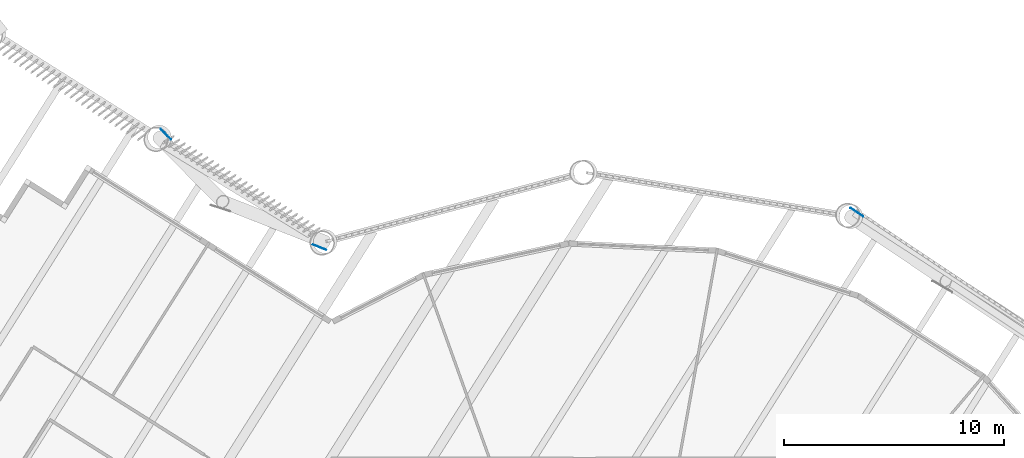
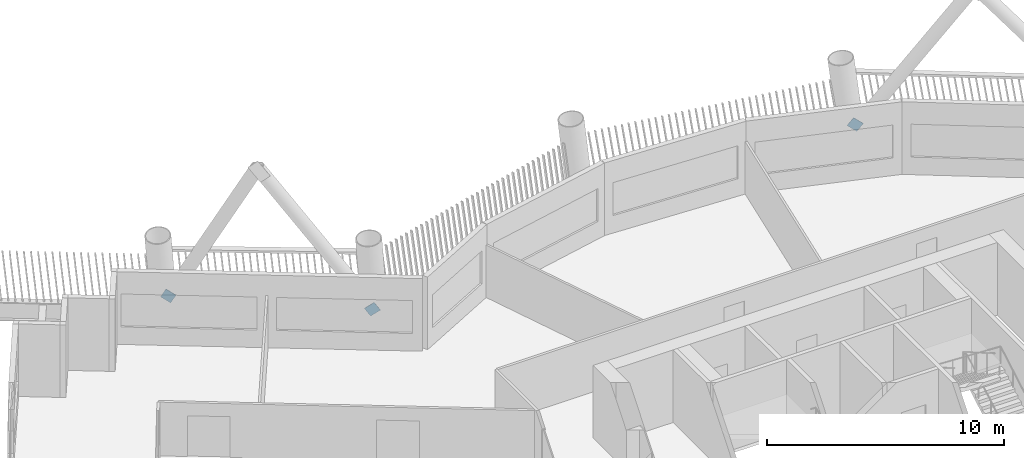
# One storey, part 14 of 22: 3 discrete accessories.
"""IFC4 building model written with IfcOpenShell, lengths in metres."""

from ifc_helpers import new_model, si_unit, direction, frame, origin, origin_2d, place, context, subcontext, project, spatial, rectangle, extrude, material, material_profile, profile_set, type_object, element, save


model = new_model("IFC4")

# Units and contexts
model_context = context("Model", 3, precision=1e-05, world=origin(), true_north=direction((0.0, 1.0)))
body_context = subcontext(model_context, "Body", "Model", "MODEL_VIEW")
ifc_project = project(units=[si_unit("LENGTHUNIT", "METRE"), si_unit("AREAUNIT", "SQUARE_METRE"), si_unit("VOLUMEUNIT", "CUBIC_METRE"), si_unit("PLANEANGLEUNIT", "RADIAN"), si_unit("MASSUNIT", "GRAM", prefix="KILO")], contexts=[model_context])

# Site, building, storey
site_placement = place(None, origin())
site = spatial("IfcSite", under=ifc_project, at=site_placement, CompositionType="ELEMENT")
building_placement = place(site_placement, origin())
building = spatial("IfcBuilding", under=site, at=building_placement, Name="Tarsis Ring Headquarters", CompositionType="ELEMENT")
storey_placement = place(building_placement, frame((0.0, 0.0, 147.60009765625)))
storey = spatial("IfcBuildingStorey", under=building, at=storey_placement, Name="L33", CompositionType="ELEMENT", Elevation=147.60009765625)

# Discrete accessories
ifc_material = material(Name="Structural steel S355", Category="steel")
ifc_material_profile = material_profile(ifc_material, rectangle(XDim=0.02490234375, YDim=0.5, at=origin_2d()), Name="PL 25x500")
ifc_profile_set = profile_set([ifc_material_profile], Name="Structural steel S355")
discrete_accessory_type = type_object("IfcDiscreteAccessoryType", Name="Gusset plate Exo brace 25", PredefinedType="BRACKET", material=ifc_profile_set)
discrete_accessory_placement = place(storey_placement, frame((10.858642578125, 27.276611328125, 0.0), z_axis=(0.462567745296, -0.31065795777, 0.830375044354), x_axis=(0.557529133734, 0.830157373657, 0.0)))
element("IfcDiscreteAccessory", 1, at=discrete_accessory_placement, inside=storey, type_object=discrete_accessory_type, Name="Gusset plate GP5", PredefinedType="BRACKET", context=body_context, shape_type="SweptSolid", body=[
    extrude(rectangle(XDim=0.02490234375, YDim=0.5, at=origin_2d()), origin(), (0.0, 0.0, 1.0), 0.499755859375),
])
for number, where, z_axis, x_axis, name in (
    (2, (-13.353759765625, 25.561767578125, 0.0), (-0.501094732555, 0.197800552324, 0.842483833973), (-0.367166534736, -0.930155221331, 0.0), "Gusset plate GP5"),
    (3, (-20.53955078125, 30.83154296875, 0.0), (0.327188184859, -0.331583250029, 0.884873120842), (0.711808479618, 0.702373610227, 0.0), "Gusset plate GP5"),
):
    element("IfcDiscreteAccessory", number, at=place(storey_placement, frame(where, z_axis=z_axis, x_axis=x_axis)), inside=storey, type_object=discrete_accessory_type, Name=name, PredefinedType="BRACKET", context=body_context, shape_type="SweptSolid", body=[
        extrude(rectangle(XDim=0.02490234375, YDim=0.5, at=origin_2d()), origin(), (0.0, 0.0, 1.0), 0.5),
    ])

save(model, "model.ifc")
